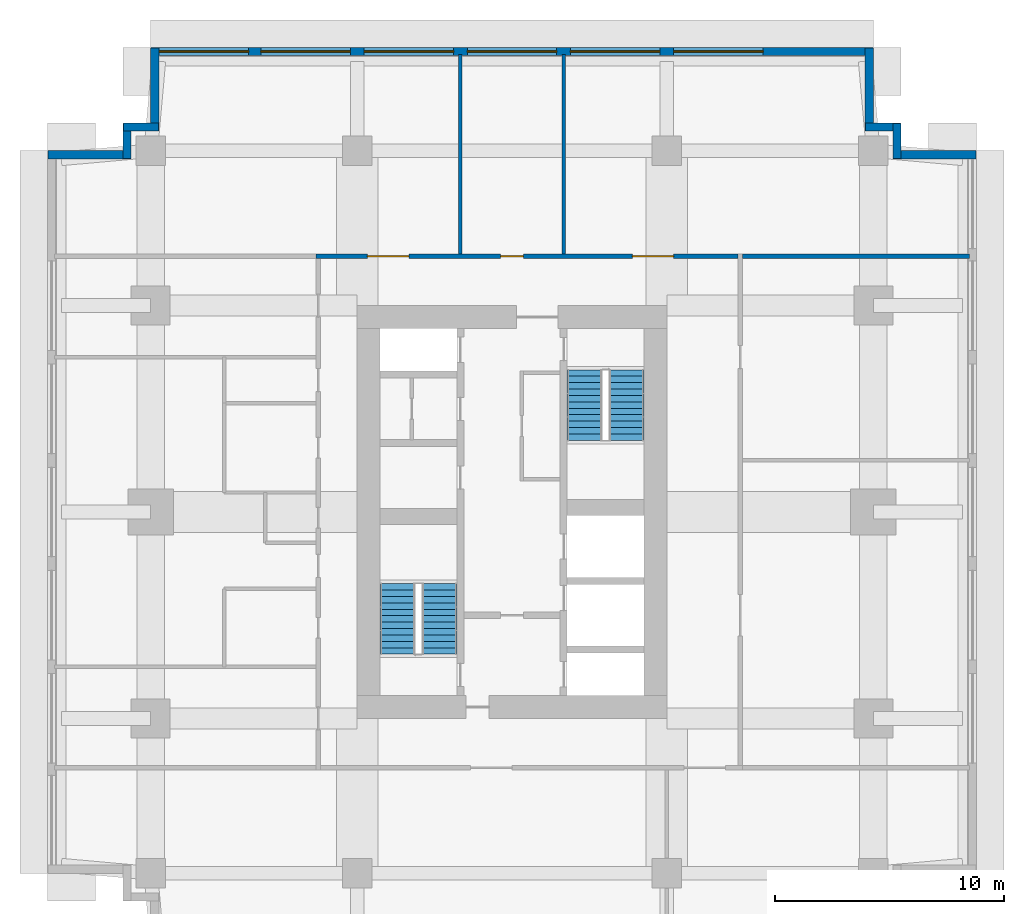
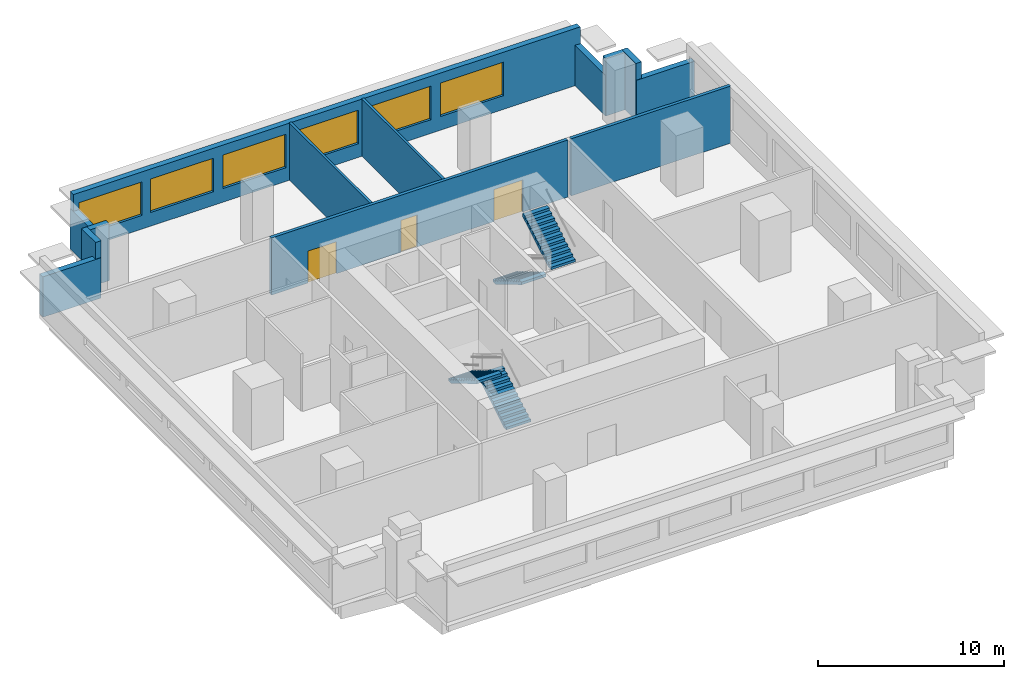
# One storey, part 4 of 5: 13 walls, 6 windows, 4 stair flights, 3 doors, 9 openings, 2 elements without a shape of their own.
"""IFC4 building model written with IfcOpenShell, lengths in metres."""

from ifc_helpers import new_model, si_unit, direction, frame, frame_2d, origin, place, context, subcontext, project, spatial, polyline, rectangle, outline, extrude, material, layer, layer_set, type_object, element, fill, aggregate, save


model = new_model("IFC4")

# Units and contexts
model_context = context("Model", 3, precision=1e-05, world=origin(), true_north=direction((0.0, 1.0)))
body_context = subcontext(model_context, "Body", "Model", "MODEL_VIEW")
ifc_project = project(units=[si_unit("LENGTHUNIT", "METRE"), si_unit("AREAUNIT", "SQUARE_METRE"), si_unit("VOLUMEUNIT", "CUBIC_METRE"), si_unit("PLANEANGLEUNIT", "RADIAN"), si_unit("MASSUNIT", "GRAM", prefix="KILO")], contexts=[model_context])

# Site, building, storey
site_placement = place(None, origin())
site = spatial("IfcSite", under=ifc_project, at=site_placement, CompositionType="ELEMENT")
building_placement = place(site_placement, origin())
building = spatial("IfcBuilding", under=site, at=building_placement, Name="Namib Vertical Campus", CompositionType="ELEMENT")
storey_placement = place(building_placement, frame((0.0, 0.0, 285.0)))
storey = spatial("IfcBuildingStorey", under=building, at=storey_placement, Name="L67", CompositionType="ELEMENT", Elevation=285.0)

# Wall, openings, doors
ifc_material_1 = material(Name="Concrete masonry", Category="masonry")
ifc_layer_1 = layer(ifc_material_1, 0.199951171875)
ifc_layer_set_1 = layer_set([ifc_layer_1], Name="Corridor wall 200")
wall_type_1 = type_object("IfcWallType", Name="Corridor wall 200", PredefinedType="SOLIDWALL", material=ifc_layer_set_1)
wall_1_placement = place(storey_placement, frame((30.10009765625, 31.39990234375, 0.0), z_axis=(0.0, 0.0, 1.0), x_axis=(-1.0, 0.0, 0.0)))
wall_1 = element("IfcWall", 1, at=wall_1_placement, inside=storey, type_object=wall_type_1, Name="Corridor wall A L67 CN", PredefinedType="SOLIDWALL", context=body_context, shape_type="SweptSolid", body=[
    extrude(rectangle(XDim=18.400146484375, YDim=0.199951171875, at=frame_2d((9.2001953125, 0.0))), origin(), (0.0, 0.0, 1.0), 3.75),
])
opening_1_placement = place(wall_1_placement, frame((14.35009765625, 0.0, 0.0)))
opening_1 = element("IfcOpeningElement", 2, at=opening_1_placement, cuts=wall_1, Name="Opening CD2", PredefinedType="OPENING", context=body_context, shape_type="SweptSolid", body=[
    extrude(rectangle(XDim=1.800048828125, YDim=2.10009765625, at=frame_2d((0.89990234375, 1.050048828125))), frame((0.0, 0.10986328125, 0.0), z_axis=(0.0, -1.0, 0.0), x_axis=(1.0, 0.0, 0.0)), (0.0, 0.0, 1.0), 0.219970703125),
])
opening_2_placement = place(wall_1_placement, frame((9.35009765625, 0.0, 0.0)))
opening_2 = element("IfcOpeningElement", 3, at=opening_2_placement, cuts=wall_1, Name="Opening CD1", PredefinedType="OPENING", context=body_context, shape_type="SweptSolid", body=[
    extrude(rectangle(XDim=1.0, YDim=2.10009765625, at=frame_2d((0.5, 1.050048828125))), frame((0.0, 0.10986328125, 0.0), z_axis=(0.0, -1.0, 0.0), x_axis=(1.0, 0.0, 0.0)), (0.0, 0.0, 1.0), 0.219970703125),
])
opening_3_placement = place(wall_1_placement, frame((2.800048828125, 0.0, 0.0)))
opening_3 = element("IfcOpeningElement", 4, at=opening_3_placement, cuts=wall_1, Name="Opening CD2", PredefinedType="OPENING", context=body_context, shape_type="SweptSolid", body=[
    extrude(rectangle(XDim=1.800048828125, YDim=2.10009765625, at=frame_2d((0.89990234375, 1.050048828125))), frame((0.0, 0.10986328125, 0.0), z_axis=(0.0, -1.0, 0.0), x_axis=(1.0, 0.0, 0.0)), (0.0, 0.0, 1.0), 0.219970703125),
])
ifc_material_2 = material(Name="Timber fire door leaf", Category="wood")
door_type_1 = type_object("IfcDoorType", Name="Corridor door 1000x2100 20 min", OperationType="SINGLE_SWING_LEFT", PredefinedType="DOOR", material=ifc_material_2)
door_1_placement = place(opening_2_placement, frame((1.0, 0.0, 0.0), z_axis=(0.0, 0.0, 1.0), x_axis=(-1.0, 0.0, 0.0)))
door_1 = element("IfcDoor", 5, at=door_1_placement, inside=storey, type_object=door_type_1, Name="Door CD1 A67-06", OperationType="SINGLE_SWING_RIGHT", OverallHeight=2.10009765625, OverallWidth=1.0, PredefinedType="DOOR", context=body_context, shape_type="SweptSolid", body=[
    extrude(rectangle(XDim=1.0, YDim=2.10009765625, at=frame_2d((0.5, 1.050048828125))), frame((0.0, 0.02490234375, 0.0), z_axis=(0.0, -1.0, 0.0), x_axis=(1.0, 0.0, 0.0)), (0.0, 0.0, 1.0), 0.050048828125),
])
fill(opening_2, door_1)
ifc_material_3 = material(Name="Timber fire door leaf", Category="wood")
door_type_2 = type_object("IfcDoorType", Name="Corridor door double 1800x2100 20 min", OperationType="DOUBLE_DOOR_SINGLE_SWING", PredefinedType="DOOR", material=ifc_material_3)
door_2_placement = place(opening_1_placement, frame((1.800048828125, 0.0, 0.0), z_axis=(0.0, 0.0, 1.0), x_axis=(-1.0, 0.0, 0.0)))
door_2 = element("IfcDoor", 6, at=door_2_placement, inside=storey, type_object=door_type_2, Name="Door CD2 A67-05", OperationType="DOUBLE_DOOR_SINGLE_SWING", OverallHeight=2.10009765625, OverallWidth=1.800048828125, PredefinedType="DOOR", context=body_context, shape_type="SweptSolid", body=[
    extrude(rectangle(XDim=1.800048828125, YDim=2.10009765625, at=frame_2d((0.89990234375, 1.050048828125))), frame((0.0, 0.02490234375, 0.0), z_axis=(0.0, -1.0, 0.0), x_axis=(1.0, 0.0, 0.0)), (0.0, 0.0, 1.0), 0.050048828125),
])
fill(opening_1, door_2)
door_3_placement = place(opening_3_placement, frame((1.800048828125, 0.0, 0.0), z_axis=(0.0, 0.0, 1.0), x_axis=(-1.0, 0.0, 0.0)))
door_3 = element("IfcDoor", 7, at=door_3_placement, inside=storey, type_object=door_type_2, Name="Door CD2 A67-07", OperationType="DOUBLE_DOOR_SINGLE_SWING", OverallHeight=2.10009765625, OverallWidth=1.800048828125, PredefinedType="DOOR", context=body_context, shape_type="SweptSolid", body=[
    extrude(rectangle(XDim=1.800048828125, YDim=2.10009765625, at=frame_2d((0.89990234375, 1.050048828125))), frame((0.0, 0.02490234375, 0.0), z_axis=(0.0, -1.0, 0.0), x_axis=(1.0, 0.0, 0.0)), (0.0, 0.0, 1.0), 0.050048828125),
])
fill(opening_3, door_3)

# Walls
wall_2_placement = place(storey_placement, frame((30.300048828125, 31.39990234375, 0.0), z_axis=(0.0, 0.0, 1.0), x_axis=(1.0, 0.0, 0.0)))
element("IfcWall", 8, at=wall_2_placement, inside=storey, type_object=wall_type_1, Name="Partition A L67 BNE", PredefinedType="SOLIDWALL", context=body_context, shape_type="SweptSolid", body=[
    extrude(rectangle(XDim=9.89990234375, YDim=0.199951171875, at=frame_2d((4.949951171875, 0.0))), origin(), (0.0, 0.0, 1.0), 3.75),
])
ifc_material_4 = material(Name="Concrete C40/50", Category="concrete")
ifc_layer_2 = layer(ifc_material_4, 0.35009765625)
ifc_layer_set_2 = layer_set([ifc_layer_2], Name="Concrete C40/50")
wall_type_2 = type_object("IfcWallType", Name="External wall 350 bush-hammered concrete", PredefinedType="STANDARD", material=ifc_layer_set_2)
wall_3_placement = place(storey_placement, frame((40.47998046875, 35.824951171875, 0.0), z_axis=(0.0, 0.0, 1.0), x_axis=(-1.0, 0.0, 0.0)))
element("IfcWall", 9, at=wall_3_placement, inside=storey, type_object=wall_type_2, Name="External wall L67 F07", PredefinedType="STANDARD", context=body_context, shape_type="SweptSolid", body=[
    extrude(rectangle(XDim=3.60986328125, YDim=0.35009765625, at=frame_2d((1.804931640625, 0.0))), origin(), (0.0, 0.0, 1.0), 2.64990234375),
])
for number, where, z_axis, x_axis, name in (
    (10, (37.02490234375, 35.669921875, 0.0), (0.0, 0.0, 1.0), (0.0, 1.0, 0.0), "External wall L67 F08"),
    (11, (37.179931640625, 37.02490234375, 0.0), (0.0, 0.0, 1.0), (-1.0, 0.0, 0.0), "External wall L67 F09"),
):
    element("IfcWall", number, at=place(storey_placement, frame(where, z_axis=z_axis, x_axis=x_axis)), inside=storey, type_object=wall_type_2, Name=name, PredefinedType="STANDARD", context=body_context, shape_type="SweptSolid", body=[
        extrude(rectangle(XDim=1.510009765625, YDim=0.35009765625, at=frame_2d((0.7548828125, 0.0))), origin(), (0.0, 0.0, 1.0), 3.75),
    ])
wall_4_placement = place(storey_placement, frame((35.824951171875, 36.8701171875, 0.0), z_axis=(0.0, 0.0, 1.0), x_axis=(0.0, 1.0, 0.0)))
element("IfcWall", 12, at=wall_4_placement, inside=storey, type_object=wall_type_2, Name="External wall L67 F10", PredefinedType="STANDARD", context=body_context, shape_type="SweptSolid", body=[
    extrude(rectangle(XDim=3.60986328125, YDim=0.35009765625, at=frame_2d((1.804931640625, 0.0))), origin(), (0.0, 0.0, 1.0), 2.64990234375),
])

# Wall, openings, windows
wall_5_placement = place(storey_placement, frame((35.97998046875, 40.324951171875, 0.0), z_axis=(0.0, 0.0, 1.0), x_axis=(-1.0, 0.0, 0.0)))
wall_5 = element("IfcWall", 13, at=wall_5_placement, inside=storey, type_object=wall_type_2, Name="External wall L67 F11", PredefinedType="STANDARD", context=body_context, shape_type="SweptSolid", body=[
    extrude(rectangle(XDim=31.4599609375, YDim=0.35009765625, at=frame_2d((15.72998046875, 0.0))), origin(), (0.0, 0.0, 1.0), 3.75),
])
opening_4_placement = place(wall_5_placement, frame((27.2099609375, 0.0, 0.89990234375)))
opening_4 = element("IfcOpeningElement", 14, at=opening_4_placement, cuts=wall_5, Name="Opening W1", PredefinedType="OPENING", context=body_context, shape_type="SweptSolid", body=[
    extrude(rectangle(XDim=3.89990234375, YDim=2.199951171875, at=frame_2d((1.949951171875, 1.10009765625))), frame((0.0, 0.18505859375, 0.0), z_axis=(0.0, -1.0, 0.0), x_axis=(1.0, 0.0, 0.0)), (0.0, 0.0, 1.0), 0.3701171875),
])
opening_5_placement = place(wall_5_placement, frame((22.780029296875, 0.0, 0.89990234375)))
opening_5 = element("IfcOpeningElement", 15, at=opening_5_placement, cuts=wall_5, Name="Opening W1", PredefinedType="OPENING", context=body_context, shape_type="SweptSolid", body=[
    extrude(rectangle(XDim=3.89990234375, YDim=2.199951171875, at=frame_2d((1.949951171875, 1.10009765625))), frame((0.0, 0.18505859375, 0.0), z_axis=(0.0, -1.0, 0.0), x_axis=(1.0, 0.0, 0.0)), (0.0, 0.0, 1.0), 0.3701171875),
])
opening_6_placement = place(wall_5_placement, frame((18.280029296875, 0.0, 0.89990234375)))
opening_6 = element("IfcOpeningElement", 16, at=opening_6_placement, cuts=wall_5, Name="Opening W1", PredefinedType="OPENING", context=body_context, shape_type="SweptSolid", body=[
    extrude(rectangle(XDim=3.89990234375, YDim=2.199951171875, at=frame_2d((1.949951171875, 1.10009765625))), frame((0.0, 0.18505859375, 0.0), z_axis=(0.0, -1.0, 0.0), x_axis=(1.0, 0.0, 0.0)), (0.0, 0.0, 1.0), 0.3701171875),
])
opening_7_placement = place(wall_5_placement, frame((13.780029296875, 0.0, 0.89990234375)))
opening_7 = element("IfcOpeningElement", 17, at=opening_7_placement, cuts=wall_5, Name="Opening W1", PredefinedType="OPENING", context=body_context, shape_type="SweptSolid", body=[
    extrude(rectangle(XDim=3.89990234375, YDim=2.199951171875, at=frame_2d((1.949951171875, 1.10009765625))), frame((0.0, 0.18505859375, 0.0), z_axis=(0.0, -1.0, 0.0), x_axis=(1.0, 0.0, 0.0)), (0.0, 0.0, 1.0), 0.3701171875),
])
opening_8_placement = place(wall_5_placement, frame((9.280029296875, 0.0, 0.89990234375)))
opening_8 = element("IfcOpeningElement", 18, at=opening_8_placement, cuts=wall_5, Name="Opening W1", PredefinedType="OPENING", context=body_context, shape_type="SweptSolid", body=[
    extrude(rectangle(XDim=3.89990234375, YDim=2.199951171875, at=frame_2d((1.949951171875, 1.10009765625))), frame((0.0, 0.18505859375, 0.0), z_axis=(0.0, -1.0, 0.0), x_axis=(1.0, 0.0, 0.0)), (0.0, 0.0, 1.0), 0.3701171875),
])
opening_9_placement = place(wall_5_placement, frame((4.780029296875, 0.0, 0.89990234375)))
opening_9 = element("IfcOpeningElement", 19, at=opening_9_placement, cuts=wall_5, Name="Opening W1", PredefinedType="OPENING", context=body_context, shape_type="SweptSolid", body=[
    extrude(rectangle(XDim=3.89990234375, YDim=2.199951171875, at=frame_2d((1.949951171875, 1.10009765625))), frame((0.0, 0.18505859375, 0.0), z_axis=(0.0, -1.0, 0.0), x_axis=(1.0, 0.0, 0.0)), (0.0, 0.0, 1.0), 0.3701171875),
])
ifc_material_5 = material(Name="Dark tinted glass in black aluminium frame", Category="aluminium")
window_type = type_object("IfcWindowType", Name="Ribbon window 3900x2200", PartitioningType="SINGLE_PANEL", PredefinedType="WINDOW", material=ifc_material_5)
window_1_placement = place(opening_4_placement, origin())
window_1 = element("IfcWindow", 20, at=window_1_placement, inside=storey, type_object=window_type, Name="Window W1 L67 F11-1", OverallHeight=2.199951171875, OverallWidth=3.89990234375, PartitioningType="SINGLE_PANEL", PredefinedType="WINDOW", context=body_context, shape_type="SweptSolid", body=[
    extrude(rectangle(XDim=3.89990234375, YDim=2.199951171875, at=frame_2d((1.949951171875, 1.10009765625))), frame((0.0, 0.030029296875, 0.0), z_axis=(0.0, -1.0, 0.0), x_axis=(1.0, 0.0, 0.0)), (0.0, 0.0, 1.0), 0.06005859375),
])
fill(opening_4, window_1)
window_2_placement = place(opening_5_placement, origin())
window_2 = element("IfcWindow", 21, at=window_2_placement, inside=storey, type_object=window_type, Name="Window W1 L67 F11-2", OverallHeight=2.199951171875, OverallWidth=3.89990234375, PartitioningType="SINGLE_PANEL", PredefinedType="WINDOW", context=body_context, shape_type="SweptSolid", body=[
    extrude(rectangle(XDim=3.89990234375, YDim=2.199951171875, at=frame_2d((1.949951171875, 1.10009765625))), frame((0.0, 0.030029296875, 0.0), z_axis=(0.0, -1.0, 0.0), x_axis=(1.0, 0.0, 0.0)), (0.0, 0.0, 1.0), 0.06005859375),
])
fill(opening_5, window_2)
window_3_placement = place(opening_6_placement, origin())
window_3 = element("IfcWindow", 22, at=window_3_placement, inside=storey, type_object=window_type, Name="Window W1 L67 F11-3", OverallHeight=2.199951171875, OverallWidth=3.89990234375, PartitioningType="SINGLE_PANEL", PredefinedType="WINDOW", context=body_context, shape_type="SweptSolid", body=[
    extrude(rectangle(XDim=3.89990234375, YDim=2.199951171875, at=frame_2d((1.949951171875, 1.10009765625))), frame((0.0, 0.030029296875, 0.0), z_axis=(0.0, -1.0, 0.0), x_axis=(1.0, 0.0, 0.0)), (0.0, 0.0, 1.0), 0.06005859375),
])
fill(opening_6, window_3)
window_4_placement = place(opening_7_placement, origin())
window_4 = element("IfcWindow", 23, at=window_4_placement, inside=storey, type_object=window_type, Name="Window W1 L67 F11-4", OverallHeight=2.199951171875, OverallWidth=3.89990234375, PartitioningType="SINGLE_PANEL", PredefinedType="WINDOW", context=body_context, shape_type="SweptSolid", body=[
    extrude(rectangle(XDim=3.89990234375, YDim=2.199951171875, at=frame_2d((1.949951171875, 1.10009765625))), frame((0.0, 0.030029296875, 0.0), z_axis=(0.0, -1.0, 0.0), x_axis=(1.0, 0.0, 0.0)), (0.0, 0.0, 1.0), 0.06005859375),
])
fill(opening_7, window_4)
window_5_placement = place(opening_8_placement, origin())
window_5 = element("IfcWindow", 24, at=window_5_placement, inside=storey, type_object=window_type, Name="Window W1 L67 F11-5", OverallHeight=2.199951171875, OverallWidth=3.89990234375, PartitioningType="SINGLE_PANEL", PredefinedType="WINDOW", context=body_context, shape_type="SweptSolid", body=[
    extrude(rectangle(XDim=3.89990234375, YDim=2.199951171875, at=frame_2d((1.949951171875, 1.10009765625))), frame((0.0, 0.030029296875, 0.0), z_axis=(0.0, -1.0, 0.0), x_axis=(1.0, 0.0, 0.0)), (0.0, 0.0, 1.0), 0.06005859375),
])
fill(opening_8, window_5)
window_6_placement = place(opening_9_placement, origin())
window_6 = element("IfcWindow", 25, at=window_6_placement, inside=storey, type_object=window_type, Name="Window W1 L67 F11-6", OverallHeight=2.199951171875, OverallWidth=3.89990234375, PartitioningType="SINGLE_PANEL", PredefinedType="WINDOW", context=body_context, shape_type="SweptSolid", body=[
    extrude(rectangle(XDim=3.89990234375, YDim=2.199951171875, at=frame_2d((1.949951171875, 1.10009765625))), frame((0.0, 0.030029296875, 0.0), z_axis=(0.0, -1.0, 0.0), x_axis=(1.0, 0.0, 0.0)), (0.0, 0.0, 1.0), 0.06005859375),
])
fill(opening_9, window_6)

# Walls
wall_6_placement = place(storey_placement, frame((4.675048828125, 40.47998046875, 0.0), z_axis=(0.0, 0.0, 1.0), x_axis=(0.0, -1.0, 0.0)))
element("IfcWall", 26, at=wall_6_placement, inside=storey, type_object=wall_type_2, Name="External wall L67 F12", PredefinedType="STANDARD", context=body_context, shape_type="SweptSolid", body=[
    extrude(rectangle(XDim=3.60986328125, YDim=0.35009765625, at=frame_2d((1.804931640625, 0.0))), origin(), (0.0, 0.0, 1.0), 2.64990234375),
])
for number, where, z_axis, x_axis, name in (
    (27, (4.830078125, 37.02490234375, 0.0), (0.0, 0.0, 1.0), (-1.0, 0.0, 0.0), "External wall L67 F13"),
    (28, (3.47509765625, 37.179931640625, 0.0), (0.0, 0.0, 1.0), (0.0, -1.0, 0.0), "External wall L67 F14"),
):
    element("IfcWall", number, at=place(storey_placement, frame(where, z_axis=z_axis, x_axis=x_axis)), inside=storey, type_object=wall_type_2, Name=name, PredefinedType="STANDARD", context=body_context, shape_type="SweptSolid", body=[
        extrude(rectangle(XDim=1.510009765625, YDim=0.35009765625, at=frame_2d((0.7548828125, 0.0))), origin(), (0.0, 0.0, 1.0), 3.75),
    ])
wall_7_placement = place(storey_placement, frame((3.6298828125, 35.824951171875, 0.0), z_axis=(0.0, 0.0, 1.0), x_axis=(-1.0, 0.0, 0.0)))
element("IfcWall", 29, at=wall_7_placement, inside=storey, type_object=wall_type_2, Name="External wall L67 F15", PredefinedType="STANDARD", context=body_context, shape_type="SweptSolid", body=[
    extrude(rectangle(XDim=3.60986328125, YDim=0.35009765625, at=frame_2d((1.804931640625, 0.0))), origin(), (0.0, 0.0, 1.0), 2.64990234375),
])
ifc_material_6 = material(Name="Gypsum board on steel studs", Category="steel")
ifc_layer_3 = layer(ifc_material_6, 0.14990234375)
ifc_layer_set_3 = layer_set([ifc_layer_3], Name="Gypsum board on steel studs")
wall_type_3 = type_object("IfcWallType", Name="Partition 150", PredefinedType="PARTITIONING", material=ifc_layer_set_3)
for number, where, z_axis, x_axis, name in (
    (30, (18.0, 31.5, 0.0), (0.0, 0.0, 1.0), (0.0, 1.0, 0.0), "Partition A L67 PN1"),
    (31, (22.5, 31.5, 0.0), (0.0, 0.0, 1.0), (0.0, 1.0, 0.0), "Partition A L67 PN2"),
):
    element("IfcWall", number, at=place(storey_placement, frame(where, z_axis=z_axis, x_axis=x_axis)), inside=storey, type_object=wall_type_3, Name=name, PredefinedType="PARTITIONING", context=body_context, shape_type="SweptSolid", body=[
        extrude(rectangle(XDim=8.699951171875, YDim=0.14990234375, at=frame_2d((4.35009765625, 0.0))), origin(), (0.0, 0.0, 1.0), 3.75),
    ])

# Stair, stair flights
ifc_material_7 = material(Name="Concrete C40/50 precast", Category="concrete")
stair_type = type_object("IfcStairType", Name="Exit stair 4000 rise 24 risers 3350 wide", PredefinedType="HALF_TURN_STAIR", material=ifc_material_7)
stair_1_placement = place(storey_placement, origin())
stair_1 = element("IfcStair", 32, at=stair_1_placement, inside=storey, type_object=stair_type, Name="Exit stair A-S1 L67", PredefinedType="HALF_TURN_STAIR")
ifc_material_8 = material(Name="Concrete C40/50 precast", Category="concrete")
stair_flight_type = type_object("IfcStairFlightType", Name="Stair flight 12 risers 167 1525 wide", PredefinedType="STRAIGHT", material=ifc_material_8)
stair_flight_1_placement = place(storey_placement, frame((17.08740234375, 14.050048828125, 0.0), z_axis=(0.0, 0.0, 1.0), x_axis=(0.0, 1.0, 0.0)))
stair_flight_1 = element("IfcStairFlight", 33, at=stair_flight_1_placement, type_object=stair_flight_type, Name="A-S1 flight 1", NumberOfRisers=12, NumberOfTreads=11, PredefinedType="STRAIGHT", RiserHeight=0.166666667, TreadLength=0.28, context=body_context, shape_type="SweptSolid", body=[
    extrude(outline(polyline([(0.0, 0.0), (0.0, 0.166748046875), (0.280029296875, 0.166748046875), (0.280029296875, 0.333251953125), (0.56005859375, 0.333251953125), (0.56005859375, 0.5), (0.840087890625, 0.5), (0.840087890625, 0.666748046875), (1.1201171875, 0.666748046875), (1.1201171875, 0.833251953125), (1.39990234375, 0.833251953125), (1.39990234375, 1.0), (1.679931640625, 1.0), (1.679931640625, 1.166748046875), (1.9599609375, 1.166748046875), (1.9599609375, 1.333251953125), (2.239990234375, 1.333251953125), (2.239990234375, 1.5), (2.52001953125, 1.5), (2.52001953125, 1.666748046875), (2.800048828125, 1.666748046875), (2.800048828125, 1.833251953125), (3.080078125, 1.833251953125), (3.080078125, 2.0), (3.080078125, 1.658935546875), (0.29296875, 0.0), (0.0, 0.0)])), frame((0.0, 0.762451171875, 0.0), z_axis=(0.0, -1.0, 0.0), x_axis=(1.0, 0.0, 0.0)), (0.0, 0.0, 1.0), 1.52490234375),
])
stair_flight_2_placement = place(storey_placement, frame((15.262451171875, 17.1298828125, 2.0), z_axis=(0.0, 0.0, 1.0), x_axis=(0.0, -1.0, 0.0)))
stair_flight_2 = element("IfcStairFlight", 34, at=stair_flight_2_placement, type_object=stair_flight_type, Name="A-S1 flight 2", NumberOfRisers=12, NumberOfTreads=11, PredefinedType="STRAIGHT", RiserHeight=0.166666667, TreadLength=0.28, context=body_context, shape_type="SweptSolid", body=[
    extrude(outline(polyline([(0.0, 0.0), (0.0, 0.166748046875), (0.280029296875, 0.166748046875), (0.280029296875, 0.333251953125), (0.56005859375, 0.333251953125), (0.56005859375, 0.5), (0.840087890625, 0.5), (0.840087890625, 0.666748046875), (1.1201171875, 0.666748046875), (1.1201171875, 0.833251953125), (1.39990234375, 0.833251953125), (1.39990234375, 1.0), (1.679931640625, 1.0), (1.679931640625, 1.166748046875), (1.9599609375, 1.166748046875), (1.9599609375, 1.333251953125), (2.239990234375, 1.333251953125), (2.239990234375, 1.5), (2.52001953125, 1.5), (2.52001953125, 1.666748046875), (2.800048828125, 1.666748046875), (2.800048828125, 1.833251953125), (3.080078125, 1.833251953125), (3.080078125, 2.0), (3.080078125, 1.658935546875), (0.29296875, 0.0), (0.0, 0.0)])), frame((0.0, 0.762451171875, 0.0), z_axis=(0.0, -1.0, 0.0), x_axis=(1.0, 0.0, 0.0)), (0.0, 0.0, 1.0), 1.52490234375),
])
aggregate(stair_1, [stair_flight_1, stair_flight_2])

stair_2_placement = place(storey_placement, origin())
stair_2 = element("IfcStair", 35, at=stair_2_placement, inside=storey, type_object=stair_type, Name="Exit stair A-S2 L67", PredefinedType="HALF_TURN_STAIR")
stair_flight_3_placement = place(storey_placement, frame((23.41259765625, 26.449951171875, 0.0), z_axis=(0.0, 0.0, 1.0), x_axis=(0.0, -1.0, 0.0)))
stair_flight_3 = element("IfcStairFlight", 36, at=stair_flight_3_placement, type_object=stair_flight_type, Name="A-S2 flight 1", NumberOfRisers=12, NumberOfTreads=11, PredefinedType="STRAIGHT", RiserHeight=0.166666667, TreadLength=0.28, context=body_context, shape_type="SweptSolid", body=[
    extrude(outline(polyline([(0.0, 0.0), (0.0, 0.166748046875), (0.280029296875, 0.166748046875), (0.280029296875, 0.333251953125), (0.56005859375, 0.333251953125), (0.56005859375, 0.5), (0.840087890625, 0.5), (0.840087890625, 0.666748046875), (1.1201171875, 0.666748046875), (1.1201171875, 0.833251953125), (1.39990234375, 0.833251953125), (1.39990234375, 1.0), (1.679931640625, 1.0), (1.679931640625, 1.166748046875), (1.9599609375, 1.166748046875), (1.9599609375, 1.333251953125), (2.239990234375, 1.333251953125), (2.239990234375, 1.5), (2.52001953125, 1.5), (2.52001953125, 1.666748046875), (2.800048828125, 1.666748046875), (2.800048828125, 1.833251953125), (3.080078125, 1.833251953125), (3.080078125, 2.0), (3.080078125, 1.658935546875), (0.29296875, 0.0), (0.0, 0.0)])), frame((0.0, 0.762451171875, 0.0), z_axis=(0.0, -1.0, 0.0), x_axis=(1.0, 0.0, 0.0)), (0.0, 0.0, 1.0), 1.52490234375),
])
stair_flight_4_placement = place(storey_placement, frame((25.237548828125, 23.3701171875, 2.0), z_axis=(0.0, 0.0, 1.0), x_axis=(0.0, 1.0, 0.0)))
stair_flight_4 = element("IfcStairFlight", 37, at=stair_flight_4_placement, type_object=stair_flight_type, Name="A-S2 flight 2", NumberOfRisers=12, NumberOfTreads=11, PredefinedType="STRAIGHT", RiserHeight=0.166666667, TreadLength=0.28, context=body_context, shape_type="SweptSolid", body=[
    extrude(outline(polyline([(0.0, 0.0), (0.0, 0.166748046875), (0.280029296875, 0.166748046875), (0.280029296875, 0.333251953125), (0.56005859375, 0.333251953125), (0.56005859375, 0.5), (0.840087890625, 0.5), (0.840087890625, 0.666748046875), (1.1201171875, 0.666748046875), (1.1201171875, 0.833251953125), (1.39990234375, 0.833251953125), (1.39990234375, 1.0), (1.679931640625, 1.0), (1.679931640625, 1.166748046875), (1.9599609375, 1.166748046875), (1.9599609375, 1.333251953125), (2.239990234375, 1.333251953125), (2.239990234375, 1.5), (2.52001953125, 1.5), (2.52001953125, 1.666748046875), (2.800048828125, 1.666748046875), (2.800048828125, 1.833251953125), (3.080078125, 1.833251953125), (3.080078125, 2.0), (3.080078125, 1.658935546875), (0.29296875, 0.0), (0.0, 0.0)])), frame((0.0, 0.762451171875, 0.0), z_axis=(0.0, -1.0, 0.0), x_axis=(1.0, 0.0, 0.0)), (0.0, 0.0, 1.0), 1.52490234375),
])
aggregate(stair_2, [stair_flight_3, stair_flight_4])

save(model, "model.ifc")
